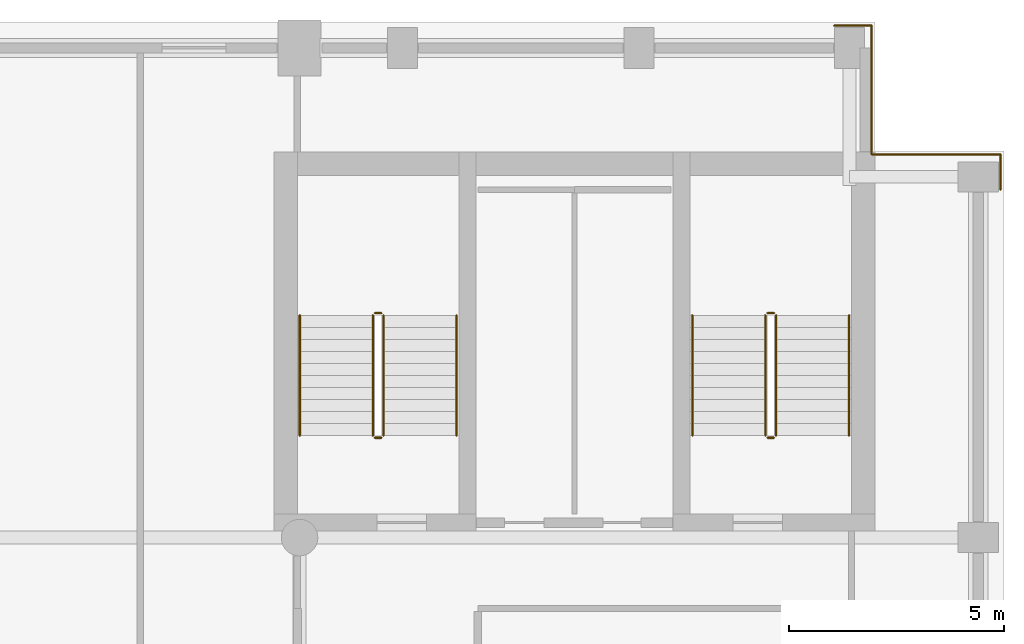
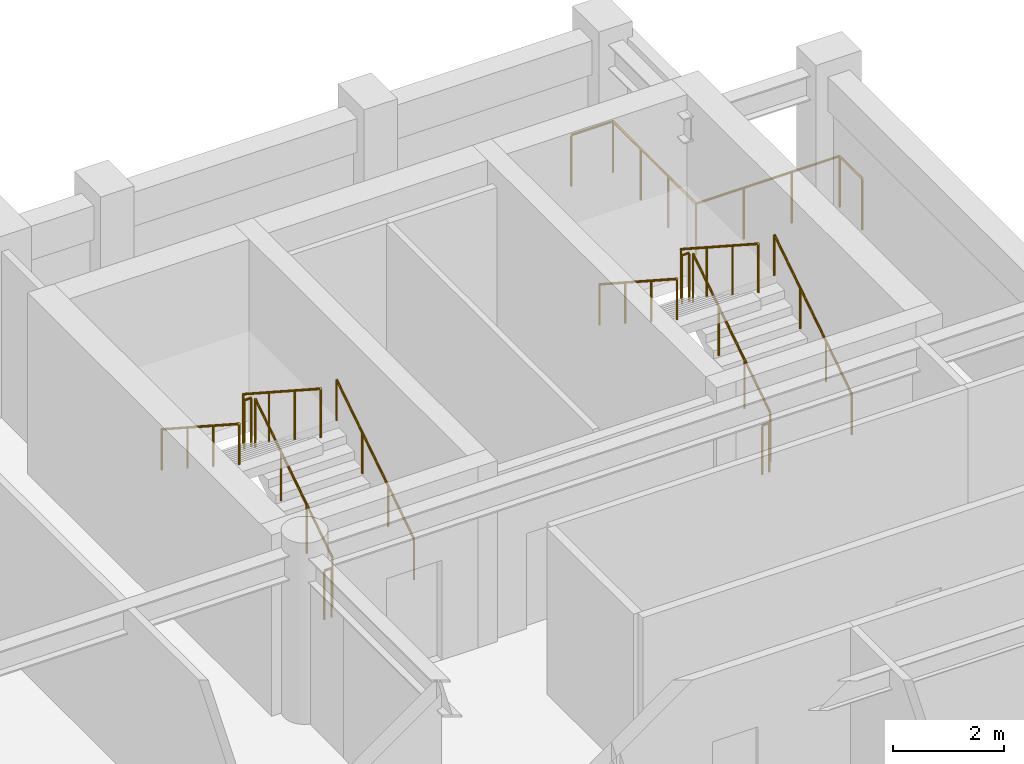
# One storey, part 9 of 9: 16 railings.
"""IFC4 building model written with IfcOpenShell, lengths in metres."""

from ifc_helpers import new_model, si_unit, direction, frame, origin, origin_2d, place, context, subcontext, project, spatial, circle, extrude, material, type_object, element, save


model = new_model("IFC4")

# Units and contexts
model_context = context("Model", 3, precision=1e-05, world=origin(), true_north=direction((0.0, 1.0)))
body_context = subcontext(model_context, "Body", "Model", "MODEL_VIEW")
ifc_project = project(units=[si_unit("LENGTHUNIT", "METRE"), si_unit("AREAUNIT", "SQUARE_METRE"), si_unit("VOLUMEUNIT", "CUBIC_METRE"), si_unit("PLANEANGLEUNIT", "RADIAN"), si_unit("MASSUNIT", "GRAM", prefix="KILO")], contexts=[model_context])

# Site, building, storey
site_placement = place(None, origin())
site = spatial("IfcSite", under=ifc_project, at=site_placement, CompositionType="ELEMENT")
building_placement = place(site_placement, origin())
building = spatial("IfcBuilding", under=site, at=building_placement, Name="Sulina Concourse Tower", CompositionType="ELEMENT")
storey_placement = place(building_placement, frame((0.0, 0.0, 276.60009765625)))
storey = spatial("IfcBuildingStorey", under=building, at=storey_placement, Name="L67", CompositionType="ELEMENT", Elevation=276.60009765625)

# Railings
ifc_material_1 = material(Name="Galvanised steel railing", Category="steel")
railing_type_1 = type_object("IfcRailingType", Name="Core Stair Steel Guardrail 1150mm", PredefinedType="GUARDRAIL", material=ifc_material_1)
railing_1_placement = place(storey_placement, frame((54.050048828125, 45.919921875, 0.0)))
element("IfcRailing", 1, at=railing_1_placement, inside=storey, type_object=railing_type_1, Name="L67 perimeter edge safety guardrail NE1", PredefinedType="GUARDRAIL", context=body_context, shape_type="SweptSolid", body=[
    extrude(circle(Radius=0.02392578125, at=origin_2d()), frame((0.0, 0.0, 1.1259765625), z_axis=(1.0, 0.0, 0.0), x_axis=(0.0, 1.0, 0.0)), (0.0, 0.0, 1.0), 0.869873046875),
    extrude(circle(Radius=0.02099609375, at=origin_2d()), origin(), (0.0, 0.0, 1.0), 1.101806640625),
    extrude(circle(Radius=0.02099609375, at=origin_2d()), frame((0.869873046875, 0.0, 0.0)), (0.0, 0.0, 1.0), 1.101806640625),
])
railing_2_placement = place(storey_placement, frame((54.919921875, 45.919921875, 0.0)))
element("IfcRailing", 2, at=railing_2_placement, inside=storey, type_object=railing_type_1, Name="L67 perimeter edge safety guardrail NE2", PredefinedType="GUARDRAIL", context=body_context, shape_type="SweptSolid", body=[
    extrude(circle(Radius=0.02392578125, at=origin_2d()), frame((0.0, 0.0, 1.1259765625), z_axis=(0.0, -1.0, 0.0), x_axis=(1.0, 0.0, 0.0)), (0.0, 0.0, 1.0), 3.0),
    extrude(circle(Radius=0.02099609375, at=origin_2d()), origin(), (0.0, 0.0, 1.0), 1.101806640625),
    extrude(circle(Radius=0.02099609375, at=origin_2d()), frame((0.0, -1.0, 0.0)), (0.0, 0.0, 1.0), 1.101806640625),
    extrude(circle(Radius=0.02099609375, at=origin_2d()), frame((0.0, -2.0, 0.0)), (0.0, 0.0, 1.0), 1.101806640625),
    extrude(circle(Radius=0.02099609375, at=origin_2d()), frame((0.0, -3.0, 0.0)), (0.0, 0.0, 1.0), 1.101806640625),
])
railing_3_placement = place(storey_placement, frame((54.919921875, 42.919921875, 0.0)))
element("IfcRailing", 3, at=railing_3_placement, inside=storey, type_object=railing_type_1, Name="L67 perimeter edge safety guardrail NE3", PredefinedType="GUARDRAIL", context=body_context, shape_type="SweptSolid", body=[
    extrude(circle(Radius=0.02392578125, at=origin_2d()), frame((0.0, 0.0, 1.1259765625), z_axis=(1.0, 0.0, 0.0), x_axis=(0.0, 1.0, 0.0)), (0.0, 0.0, 1.0), 3.0),
    extrude(circle(Radius=0.02099609375, at=origin_2d()), origin(), (0.0, 0.0, 1.0), 1.101806640625),
    extrude(circle(Radius=0.02099609375, at=origin_2d()), frame((1.0, 0.0, 0.0)), (0.0, 0.0, 1.0), 1.101806640625),
    extrude(circle(Radius=0.02099609375, at=origin_2d()), frame((2.0, 0.0, 0.0)), (0.0, 0.0, 1.0), 1.101806640625),
    extrude(circle(Radius=0.02099609375, at=origin_2d()), frame((3.0, 0.0, 0.0)), (0.0, 0.0, 1.0), 1.101806640625),
])
railing_4_placement = place(storey_placement, frame((57.919921875, 42.919921875, 0.0)))
element("IfcRailing", 4, at=railing_4_placement, inside=storey, type_object=railing_type_1, Name="L67 perimeter edge safety guardrail NE4", PredefinedType="GUARDRAIL", context=body_context, shape_type="SweptSolid", body=[
    extrude(circle(Radius=0.02392578125, at=origin_2d()), frame((0.0, 0.0, 1.1259765625), z_axis=(0.0, -1.0, 0.0), x_axis=(1.0, 0.0, 0.0)), (0.0, 0.0, 1.0), 0.81982421875),
    extrude(circle(Radius=0.02099609375, at=origin_2d()), origin(), (0.0, 0.0, 1.0), 1.101806640625),
    extrude(circle(Radius=0.02099609375, at=origin_2d()), frame((0.0, -0.81982421875, 0.0)), (0.0, 0.0, 1.0), 1.101806640625),
])
railing_5_placement = place(storey_placement, frame((43.554931640625, 36.375, 0.181640625)))
element("IfcRailing", 5, at=railing_5_placement, inside=storey, type_object=railing_type_1, Name="L67 ST-3 stair guard 1", PredefinedType="GUARDRAIL", context=body_context, shape_type="SweptSolid", body=[
    extrude(circle(Radius=0.02392578125, at=origin_2d()), frame((0.0, 0.0, 1.076171875), z_axis=(0.0, 0.838672427954, 0.544636170843), x_axis=(-1.0, 0.0, 0.0)), (0.0, 0.0, 1.0), 3.338623046875),
    extrude(circle(Radius=0.02099609375, at=origin_2d()), origin(), (0.0, 0.0, 1.0), 1.052001953125),
    extrude(circle(Radius=0.02099609375, at=origin_2d()), frame((0.0, 0.933349609375, 0.606201171875)), (0.0, 0.0, 1.0), 1.052001953125),
    extrude(circle(Radius=0.02099609375, at=origin_2d()), frame((0.0, 1.86669921875, 1.212158203125)), (0.0, 0.0, 1.0), 1.052001953125),
    extrude(circle(Radius=0.02099609375, at=origin_2d()), frame((0.0, 2.800048828125, 1.818359375)), (0.0, 0.0, 1.0), 1.052001953125),
])
railing_6_placement = place(storey_placement, frame((43.5048828125, 39.22509765625, 2.0)))
element("IfcRailing", 6, at=railing_6_placement, inside=storey, type_object=railing_type_1, Name="L67 ST-3 stair guard 2", PredefinedType="GUARDRAIL", context=body_context, shape_type="SweptSolid", body=[
    extrude(circle(Radius=0.02392578125, at=origin_2d()), frame((0.0, 0.0, 1.076171875), z_axis=(-1.0, 0.0, 0.0), x_axis=(0.0, -1.0, 0.0)), (0.0, 0.0, 1.0), 0.14990234375),
    extrude(circle(Radius=0.02099609375, at=origin_2d()), origin(), (0.0, 0.0, 1.0), 1.052001953125),
    extrude(circle(Radius=0.02099609375, at=origin_2d()), frame((-0.14990234375, 0.0, 0.0)), (0.0, 0.0, 1.0), 1.052001953125),
])
railing_7_placement = place(storey_placement, frame((43.304931640625, 39.175048828125, 2.181640625)))
element("IfcRailing", 7, at=railing_7_placement, inside=storey, type_object=railing_type_1, Name="L67 ST-3 stair guard 3", PredefinedType="GUARDRAIL", context=body_context, shape_type="SweptSolid", body=[
    extrude(circle(Radius=0.02392578125, at=origin_2d()), frame((0.0, 0.0, 1.076171875), z_axis=(0.0, -0.838672427954, 0.544636170843), x_axis=(1.0, 0.0, 0.0)), (0.0, 0.0, 1.0), 3.338623046875),
    extrude(circle(Radius=0.02099609375, at=origin_2d()), origin(), (0.0, 0.0, 1.0), 1.052001953125),
    extrude(circle(Radius=0.02099609375, at=origin_2d()), frame((0.0, -0.933349609375, 0.606201171875)), (0.0, 0.0, 1.0), 1.052001953125),
    extrude(circle(Radius=0.02099609375, at=origin_2d()), frame((0.0, -1.86669921875, 1.212158203125)), (0.0, 0.0, 1.0), 1.052001953125),
    extrude(circle(Radius=0.02099609375, at=origin_2d()), frame((0.0, -2.800048828125, 1.818359375)), (0.0, 0.0, 1.0), 1.052001953125),
])
railing_8_placement = place(storey_placement, frame((43.5048828125, 36.324951171875, 0.0)))
element("IfcRailing", 8, at=railing_8_placement, inside=storey, type_object=railing_type_1, Name="L67 ST-3 stair guard 4", PredefinedType="GUARDRAIL", context=body_context, shape_type="SweptSolid", body=[
    extrude(circle(Radius=0.02392578125, at=origin_2d()), frame((0.0, 0.0, 1.076171875), z_axis=(-1.0, 0.0, 0.0), x_axis=(0.0, -1.0, 0.0)), (0.0, 0.0, 1.0), 0.14990234375),
    extrude(circle(Radius=0.02099609375, at=origin_2d()), origin(), (0.0, 0.0, 1.0), 1.052001953125),
    extrude(circle(Radius=0.02099609375, at=origin_2d()), frame((-0.14990234375, 0.0, 0.0)), (0.0, 0.0, 1.0), 1.052001953125),
])
railing_9_placement = place(storey_placement, frame((52.695068359375, 36.375, 0.181640625)))
element("IfcRailing", 9, at=railing_9_placement, inside=storey, type_object=railing_type_1, Name="L67 ST-4 stair guard 1", PredefinedType="GUARDRAIL", context=body_context, shape_type="SweptSolid", body=[
    extrude(circle(Radius=0.02392578125, at=origin_2d()), frame((0.0, 0.0, 1.076171875), z_axis=(0.0, 0.838672427954, 0.544636170843), x_axis=(-1.0, 0.0, 0.0)), (0.0, 0.0, 1.0), 3.338623046875),
    extrude(circle(Radius=0.02099609375, at=origin_2d()), origin(), (0.0, 0.0, 1.0), 1.052001953125),
    extrude(circle(Radius=0.02099609375, at=origin_2d()), frame((0.0, 0.933349609375, 0.606201171875)), (0.0, 0.0, 1.0), 1.052001953125),
    extrude(circle(Radius=0.02099609375, at=origin_2d()), frame((0.0, 1.86669921875, 1.212158203125)), (0.0, 0.0, 1.0), 1.052001953125),
    extrude(circle(Radius=0.02099609375, at=origin_2d()), frame((0.0, 2.800048828125, 1.818359375)), (0.0, 0.0, 1.0), 1.052001953125),
])
railing_10_placement = place(storey_placement, frame((52.64501953125, 39.22509765625, 2.0)))
element("IfcRailing", 10, at=railing_10_placement, inside=storey, type_object=railing_type_1, Name="L67 ST-4 stair guard 2", PredefinedType="GUARDRAIL", context=body_context, shape_type="SweptSolid", body=[
    extrude(circle(Radius=0.02392578125, at=origin_2d()), frame((0.0, 0.0, 1.076171875), z_axis=(-1.0, 0.0, 0.0), x_axis=(0.0, -1.0, 0.0)), (0.0, 0.0, 1.0), 0.14990234375),
    extrude(circle(Radius=0.02099609375, at=origin_2d()), origin(), (0.0, 0.0, 1.0), 1.052001953125),
    extrude(circle(Radius=0.02099609375, at=origin_2d()), frame((-0.14990234375, 0.0, 0.0)), (0.0, 0.0, 1.0), 1.052001953125),
])
railing_11_placement = place(storey_placement, frame((52.445068359375, 39.175048828125, 2.181640625)))
element("IfcRailing", 11, at=railing_11_placement, inside=storey, type_object=railing_type_1, Name="L67 ST-4 stair guard 3", PredefinedType="GUARDRAIL", context=body_context, shape_type="SweptSolid", body=[
    extrude(circle(Radius=0.02392578125, at=origin_2d()), frame((0.0, 0.0, 1.076171875), z_axis=(0.0, -0.838672427954, 0.544636170843), x_axis=(1.0, 0.0, 0.0)), (0.0, 0.0, 1.0), 3.338623046875),
    extrude(circle(Radius=0.02099609375, at=origin_2d()), origin(), (0.0, 0.0, 1.0), 1.052001953125),
    extrude(circle(Radius=0.02099609375, at=origin_2d()), frame((0.0, -0.933349609375, 0.606201171875)), (0.0, 0.0, 1.0), 1.052001953125),
    extrude(circle(Radius=0.02099609375, at=origin_2d()), frame((0.0, -1.86669921875, 1.212158203125)), (0.0, 0.0, 1.0), 1.052001953125),
    extrude(circle(Radius=0.02099609375, at=origin_2d()), frame((0.0, -2.800048828125, 1.818359375)), (0.0, 0.0, 1.0), 1.052001953125),
])
railing_12_placement = place(storey_placement, frame((52.64501953125, 36.324951171875, 0.0)))
element("IfcRailing", 12, at=railing_12_placement, inside=storey, type_object=railing_type_1, Name="L67 ST-4 stair guard 4", PredefinedType="GUARDRAIL", context=body_context, shape_type="SweptSolid", body=[
    extrude(circle(Radius=0.02392578125, at=origin_2d()), frame((0.0, 0.0, 1.076171875), z_axis=(-1.0, 0.0, 0.0), x_axis=(0.0, -1.0, 0.0)), (0.0, 0.0, 1.0), 0.14990234375),
    extrude(circle(Radius=0.02099609375, at=origin_2d()), origin(), (0.0, 0.0, 1.0), 1.052001953125),
    extrude(circle(Radius=0.02099609375, at=origin_2d()), frame((-0.14990234375, 0.0, 0.0)), (0.0, 0.0, 1.0), 1.052001953125),
])
ifc_material_2 = material(Name="Galvanised steel railing", Category="steel")
railing_type_2 = type_object("IfcRailingType", Name="Stair Wall Steel Handrail 920mm", PredefinedType="HANDRAIL", material=ifc_material_2)
railing_13_placement = place(storey_placement, frame((45.2548828125, 36.375, 0.181640625)))
element("IfcRailing", 13, at=railing_13_placement, inside=storey, type_object=railing_type_2, Name="L67 ST-3 stair handrail 1", PredefinedType="HANDRAIL", context=body_context, shape_type="SweptSolid", body=[
    extrude(circle(Radius=0.02392578125, at=origin_2d()), frame((0.0, 0.0, 0.89599609375), z_axis=(0.0, 0.838672427954, 0.544636170843), x_axis=(-1.0, 0.0, 0.0)), (0.0, 0.0, 1.0), 3.338623046875),
    extrude(circle(Radius=0.02099609375, at=origin_2d()), origin(), (0.0, 0.0, 1.0), 0.871826171875),
    extrude(circle(Radius=0.02099609375, at=origin_2d()), frame((0.0, 0.933349609375, 0.606201171875)), (0.0, 0.0, 1.0), 0.871826171875),
    extrude(circle(Radius=0.02099609375, at=origin_2d()), frame((0.0, 1.86669921875, 1.212158203125)), (0.0, 0.0, 1.0), 0.871826171875),
    extrude(circle(Radius=0.02099609375, at=origin_2d()), frame((0.0, 2.800048828125, 1.818359375)), (0.0, 0.0, 1.0), 0.871826171875),
])
railing_14_placement = place(storey_placement, frame((41.60498046875, 39.175048828125, 2.181640625)))
element("IfcRailing", 14, at=railing_14_placement, inside=storey, type_object=railing_type_2, Name="L67 ST-3 stair handrail 2", PredefinedType="HANDRAIL", context=body_context, shape_type="SweptSolid", body=[
    extrude(circle(Radius=0.02392578125, at=origin_2d()), frame((0.0, 0.0, 0.89599609375), z_axis=(0.0, -0.838672427954, 0.544636170843), x_axis=(1.0, 0.0, 0.0)), (0.0, 0.0, 1.0), 3.338623046875),
    extrude(circle(Radius=0.02099609375, at=origin_2d()), origin(), (0.0, 0.0, 1.0), 0.871826171875),
    extrude(circle(Radius=0.02099609375, at=origin_2d()), frame((0.0, -0.933349609375, 0.606201171875)), (0.0, 0.0, 1.0), 0.871826171875),
    extrude(circle(Radius=0.02099609375, at=origin_2d()), frame((0.0, -1.86669921875, 1.212158203125)), (0.0, 0.0, 1.0), 0.871826171875),
    extrude(circle(Radius=0.02099609375, at=origin_2d()), frame((0.0, -2.800048828125, 1.818359375)), (0.0, 0.0, 1.0), 0.871826171875),
])
railing_15_placement = place(storey_placement, frame((54.39501953125, 36.375, 0.181640625)))
element("IfcRailing", 15, at=railing_15_placement, inside=storey, type_object=railing_type_2, Name="L67 ST-4 stair handrail 1", PredefinedType="HANDRAIL", context=body_context, shape_type="SweptSolid", body=[
    extrude(circle(Radius=0.02392578125, at=origin_2d()), frame((0.0, 0.0, 0.89599609375), z_axis=(0.0, 0.838672427954, 0.544636170843), x_axis=(-1.0, 0.0, 0.0)), (0.0, 0.0, 1.0), 3.338623046875),
    extrude(circle(Radius=0.02099609375, at=origin_2d()), origin(), (0.0, 0.0, 1.0), 0.871826171875),
    extrude(circle(Radius=0.02099609375, at=origin_2d()), frame((0.0, 0.933349609375, 0.606201171875)), (0.0, 0.0, 1.0), 0.871826171875),
    extrude(circle(Radius=0.02099609375, at=origin_2d()), frame((0.0, 1.86669921875, 1.212158203125)), (0.0, 0.0, 1.0), 0.871826171875),
    extrude(circle(Radius=0.02099609375, at=origin_2d()), frame((0.0, 2.800048828125, 1.818359375)), (0.0, 0.0, 1.0), 0.871826171875),
])
railing_16_placement = place(storey_placement, frame((50.7451171875, 39.175048828125, 2.181640625)))
element("IfcRailing", 16, at=railing_16_placement, inside=storey, type_object=railing_type_2, Name="L67 ST-4 stair handrail 2", PredefinedType="HANDRAIL", context=body_context, shape_type="SweptSolid", body=[
    extrude(circle(Radius=0.02392578125, at=origin_2d()), frame((0.0, 0.0, 0.89599609375), z_axis=(0.0, -0.838672427954, 0.544636170843), x_axis=(1.0, 0.0, 0.0)), (0.0, 0.0, 1.0), 3.338623046875),
    extrude(circle(Radius=0.02099609375, at=origin_2d()), origin(), (0.0, 0.0, 1.0), 0.871826171875),
    extrude(circle(Radius=0.02099609375, at=origin_2d()), frame((0.0, -0.933349609375, 0.606201171875)), (0.0, 0.0, 1.0), 0.871826171875),
    extrude(circle(Radius=0.02099609375, at=origin_2d()), frame((0.0, -1.86669921875, 1.212158203125)), (0.0, 0.0, 1.0), 0.871826171875),
    extrude(circle(Radius=0.02099609375, at=origin_2d()), frame((0.0, -2.800048828125, 1.818359375)), (0.0, 0.0, 1.0), 0.871826171875),
])

save(model, "model.ifc")
